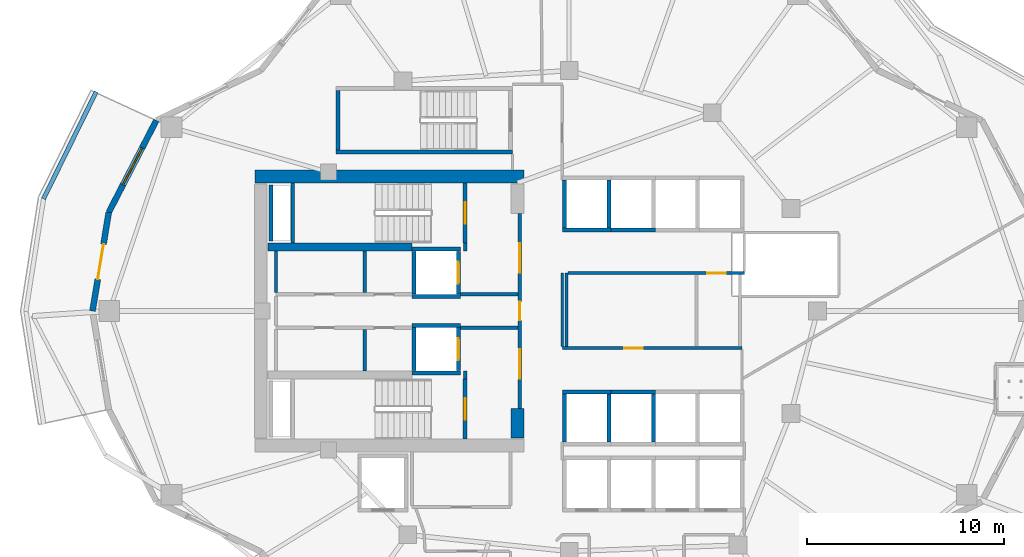
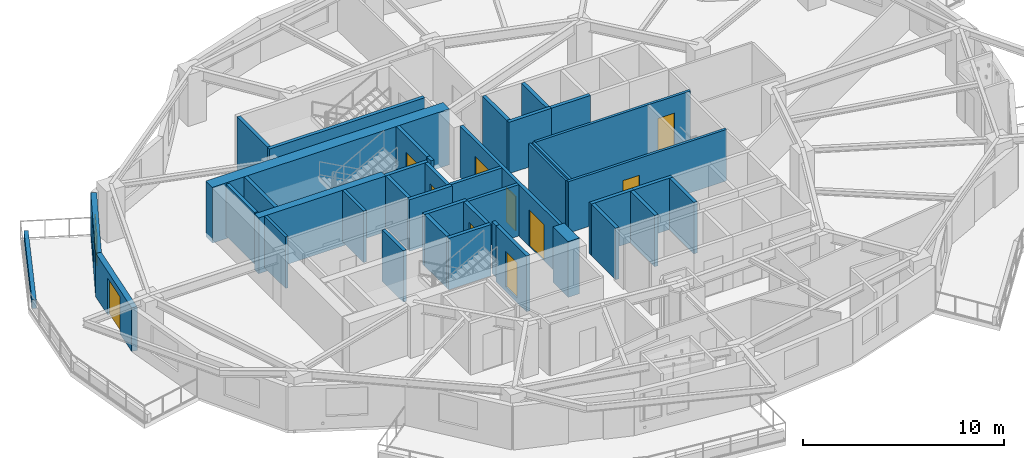
# One storey, part 4 of 14: 41 walls, 10 doors, 1 window, 11 openings.
"""IFC4 building model written with IfcOpenShell, lengths in metres."""

from ifc_helpers import new_model, si_unit, direction, frame, frame_2d, origin, place, context, subcontext, project, spatial, rectangle, extrude, material, layer, layer_set, type_object, element, fill, save


model = new_model("IFC4")

# Units and contexts
model_context = context("Model", 3, precision=1e-05, world=origin(), true_north=direction((0.0, 1.0)))
body_context = subcontext(model_context, "Body", "Model", "MODEL_VIEW")
ifc_project = project(units=[si_unit("LENGTHUNIT", "METRE"), si_unit("AREAUNIT", "SQUARE_METRE"), si_unit("VOLUMEUNIT", "CUBIC_METRE"), si_unit("PLANEANGLEUNIT", "RADIAN"), si_unit("MASSUNIT", "GRAM", prefix="KILO")], contexts=[model_context])

# Site, building, storey
site_placement = place(None, origin())
site = spatial("IfcSite", under=ifc_project, at=site_placement, CompositionType="ELEMENT")
building_placement = place(site_placement, origin())
building = spatial("IfcBuilding", under=site, at=building_placement, Name="Kolvaren Gate Tower and Convention Centre", CompositionType="ELEMENT")
storey_placement = place(building_placement, frame((0.0, 0.0, 105.300048828125)))
storey = spatial("IfcBuildingStorey", under=building, at=storey_placement, Name="L25", CompositionType="ELEMENT", Elevation=105.300048828125)

# Walls
ifc_material_1 = material(Name="Autoclaved Aerated Masonry Blockwork Class 4 (4.0 MPa)", Category="masonry")
ifc_layer_1 = layer(ifc_material_1, 0.179931640625)
ifc_layer_set_1 = layer_set([ifc_layer_1], Name="Autoclaved Aerated Masonry Blockwork Class 4 (4.0 MPa)")
wall_type_1 = type_object("IfcWallType", Name="ARCH-WL-COMP-180", PredefinedType="SOLIDWALL", material=ifc_layer_set_1)
for number, where, z_axis, x_axis, name in (
    (1, (24.85009765625, 23.5400390625, 0.0), (0.0, 0.0, 1.0), (0.0, 1.0, 0.0), "Interior Partition WL-L25-INT-001"),
    (2, (24.85009765625, 30.0400390625, 0.0), (0.0, 0.0, 1.0), (0.0, 1.0, 0.0), "Interior Partition WL-L25-INT-002"),
):
    element("IfcWall", number, at=place(storey_placement, frame(where, z_axis=z_axis, x_axis=x_axis)), inside=storey, type_object=wall_type_1, Name=name, PredefinedType="SOLIDWALL", context=body_context, shape_type="SweptSolid", body=[
        extrude(rectangle(XDim=0.419921875, YDim=0.179931640625, at=frame_2d((0.2099609375, 0.0))), origin(), (0.0, 0.0, 1.0), 3.1298828125),
    ])

# Wall, openings, doors
wall_1_placement = place(storey_placement, frame((27.6201171875, 22.050048828125, 0.0), z_axis=(0.0, 0.0, 1.0), x_axis=(0.0, 1.0, 0.0)))
wall_1 = element("IfcWall", 3, at=wall_1_placement, inside=storey, type_object=wall_type_1, Name="Interior Partition WL-L25-INT-003", PredefinedType="SOLIDWALL", context=body_context, shape_type="SweptSolid", body=[
    extrude(rectangle(XDim=9.89990234375, YDim=0.179931640625, at=frame_2d((4.949951171875, 0.0))), origin(), (0.0, 0.0, 1.0), 3.1298828125),
])
opening_1_placement = place(wall_1_placement, frame((4.47509765625, 0.0, 0.0)))
opening_1 = element("IfcOpeningElement", 4, at=opening_1_placement, cuts=wall_1, Name="Opening DR-01", PredefinedType="OPENING", context=body_context, shape_type="SweptSolid", body=[
    extrude(rectangle(XDim=0.949951171875, YDim=2.10009765625, at=frame_2d((0.47509765625, 1.050048828125))), frame((0.0, 0.099853515625, 0.0), z_axis=(0.0, -1.0, 0.0), x_axis=(1.0, 0.0, 0.0)), (0.0, 0.0, 1.0), 0.199951171875),
])
opening_2_placement = place(wall_1_placement, frame((6.889892578125, 0.0, 0.0)))
opening_2 = element("IfcOpeningElement", 5, at=opening_2_placement, cuts=wall_1, Name="Opening DL-01", PredefinedType="OPENING", context=body_context, shape_type="SweptSolid", body=[
    extrude(rectangle(XDim=1.5, YDim=2.199951171875, at=frame_2d((0.75, 1.10009765625))), frame((0.0, 0.099853515625, 0.0), z_axis=(0.0, -1.0, 0.0), x_axis=(1.0, 0.0, 0.0)), (0.0, 0.0, 1.0), 0.199951171875),
])
opening_3_placement = place(wall_1_placement, frame((1.510009765625, 0.0, 0.0)))
opening_3 = element("IfcOpeningElement", 6, at=opening_3_placement, cuts=wall_1, Name="Opening DL-01", PredefinedType="OPENING", context=body_context, shape_type="SweptSolid", body=[
    extrude(rectangle(XDim=1.5, YDim=2.199951171875, at=frame_2d((0.75, 1.10009765625))), frame((0.0, 0.099853515625, 0.0), z_axis=(0.0, -1.0, 0.0), x_axis=(1.0, 0.0, 0.0)), (0.0, 0.0, 1.0), 0.199951171875),
])
ifc_material_2 = material(Name="Painted Architectural Steelwork ASTM A500 Grade C 345 MPa", Category="steel")
door_type_1 = type_object("IfcDoorType", Name="ARCH-DR-LOBBY-1500", OperationType="DOUBLE_DOOR_SINGLE_SWING", PredefinedType="DOOR", material=ifc_material_2)
door_1_placement = place(opening_2_placement, origin())
door_1 = element("IfcDoor", 7, at=door_1_placement, inside=storey, type_object=door_type_1, Name="North Firefighting Stair and Lift Lobby Door", OperationType="DOUBLE_DOOR_SINGLE_SWING", OverallHeight=2.199951171875, OverallWidth=1.5, PredefinedType="DOOR", context=body_context, shape_type="SweptSolid", body=[
    extrude(rectangle(XDim=1.5, YDim=2.199951171875, at=frame_2d((0.75, 1.10009765625))), frame((0.0, 0.02490234375, 0.0), z_axis=(0.0, -1.0, 0.0), x_axis=(1.0, 0.0, 0.0)), (0.0, 0.0, 1.0), 0.050048828125),
])
fill(opening_2, door_1)
door_2_placement = place(opening_3_placement, origin())
door_2 = element("IfcDoor", 8, at=door_2_placement, inside=storey, type_object=door_type_1, Name="South Firefighting Stair and Lift Lobby Door", OperationType="DOUBLE_DOOR_SINGLE_SWING", OverallHeight=2.199951171875, OverallWidth=1.5, PredefinedType="DOOR", context=body_context, shape_type="SweptSolid", body=[
    extrude(rectangle(XDim=1.5, YDim=2.199951171875, at=frame_2d((0.75, 1.10009765625))), frame((0.0, 0.02490234375, 0.0), z_axis=(0.0, -1.0, 0.0), x_axis=(1.0, 0.0, 0.0)), (0.0, 0.0, 1.0), 0.050048828125),
])
fill(opening_3, door_2)
door_type_2 = type_object("IfcDoorType", Name="ARCH-DR-RISER-950", OperationType="SINGLE_SWING_RIGHT", PredefinedType="DOOR", material=ifc_material_2)
door_3_placement = place(opening_1_placement, origin())
door_3 = element("IfcDoor", 9, at=door_3_placement, inside=storey, type_object=door_type_2, Name="Central MEP Service Corridor Door", OperationType="SINGLE_SWING_RIGHT", OverallHeight=2.10009765625, OverallWidth=0.949951171875, PredefinedType="DOOR", context=body_context, shape_type="SweptSolid", body=[
    extrude(rectangle(XDim=0.949951171875, YDim=2.10009765625, at=frame_2d((0.47509765625, 1.050048828125))), frame((0.0, 0.02490234375, 0.0), z_axis=(0.0, -1.0, 0.0), x_axis=(1.0, 0.0, 0.0)), (0.0, 0.0, 1.0), 0.050048828125),
])
fill(opening_1, door_3)

# Walls
for number, where, z_axis, x_axis, name in (
    (10, (24.60009765625, 27.840087890625, 0.0), (0.0, 0.0, 1.0), (1.0, 0.0, 0.0), "Interior Partition WL-L25-INT-004 (2)"),
    (11, (24.60009765625, 26.159912109375, 0.0), (0.0, 0.0, 1.0), (1.0, 0.0, 0.0), "Interior Partition WL-L25-INT-005 (2)"),
):
    element("IfcWall", number, at=place(storey_placement, frame(where, z_axis=z_axis, x_axis=x_axis)), inside=storey, type_object=wall_type_1, Name=name, PredefinedType="SOLIDWALL", context=body_context, shape_type="SweptSolid", body=[
        extrude(rectangle(XDim=2.927978515625, YDim=0.179931640625, at=frame_2d((1.4638671875, 0.0))), origin(), (0.0, 0.0, 1.0), 3.1298828125),
    ])
for number, where, z_axis, x_axis, name in (
    (12, (19.75, 23.9619140625, 0.0), (0.0, 0.0, 1.0), (0.0, 1.0, 0.0), "Interior Partition WL-L25-INT-007"),
    (13, (19.75, 27.931884765625, 0.0), (0.0, 0.0, 1.0), (0.0, 1.0, 0.0), "Interior Partition WL-L25-INT-008"),
):
    element("IfcWall", number, at=place(storey_placement, frame(where, z_axis=z_axis, x_axis=x_axis)), inside=storey, type_object=wall_type_1, Name=name, PredefinedType="SOLIDWALL", context=body_context, shape_type="SweptSolid", body=[
        extrude(rectangle(XDim=2.106201171875, YDim=0.179931640625, at=frame_2d((1.05322265625, 0.0))), origin(), (0.0, 0.0, 1.0), 3.1298828125),
    ])
ifc_material_3 = material(Name="Fire-Rated Acoustic Gypsum Stud Partition", Category="gypsum")
ifc_layer_2 = layer(ifc_material_3, 0.1201171875)
ifc_layer_set_2 = layer_set([ifc_layer_2], Name="Fire-Rated Acoustic Gypsum Stud Partition")
wall_type_2 = type_object("IfcWallType", Name="ARCH-WL-PART-120", PredefinedType="PARTITIONING", material=ifc_layer_set_2)
wall_2_placement = place(storey_placement, frame((29.780029296875, 25.197021484375, 0.0), z_axis=(0.0, 0.0, 1.0), x_axis=(0.0, 1.0, 0.0)))
element("IfcWall", 14, at=wall_2_placement, inside=storey, type_object=wall_type_2, Name="Interior Partition WL-L25-INT-028", PredefinedType="PARTITIONING", context=body_context, shape_type="SweptSolid", body=[
    extrude(rectangle(XDim=3.722900390625, YDim=0.1201171875, at=frame_2d((1.861328125, 0.0))), origin(), (0.0, 0.0, 1.0), 3.1298828125),
])
ifc_material_4 = material(Name="Piedmont Cream Honed Limestone Cladding", Category="masonry")
ifc_layer_3 = layer(ifc_material_4, 0.219970703125)
ifc_layer_set_3 = layer_set([ifc_layer_3], Name="Piedmont Cream Honed Limestone Cladding")
wall_type_3 = type_object("IfcWallType", Name="ARCH-WL-PLANTER-220", PredefinedType="PARAPET", material=ifc_layer_set_3)
wall_3_placement = place(storey_placement, frame((3.44873046875, 32.68701171875, 0.0), z_axis=(0.0, 0.0, 1.0), x_axis=(0.441269631716, 0.897374566235, 0.0)))
element("IfcWall", 15, at=wall_3_placement, inside=storey, type_object=wall_type_3, Name="Vertical-Forest Balcony Stone Planter Kerb PK-L25-2.1", PredefinedType="PARAPET", context=body_context, shape_type="SweptSolid", body=[
    extrude(rectangle(XDim=6.05615234375, YDim=0.219970703125, at=frame_2d((3.028076171875, 0.0))), origin(), (0.0, 0.0, 1.0), 0.52001953125),
])
ifc_layer_4 = layer(ifc_material_1, 0.199951171875)
ifc_layer_set_4 = layer_set([ifc_layer_4], Name="Autoclaved Aerated Masonry Blockwork Class 4 (4.0 MPa)")
wall_type_4 = type_object("IfcWallType", Name="ARCH-WL-SHAFT-200", PredefinedType="SOLIDWALL", material=ifc_layer_set_4)
for number, where, z_axis, x_axis, name in (
    (16, (22.14990234375, 30.139892578125, 0.0), (0.0, 0.0, 1.0), (1.0, 0.0, 0.0), "Elevator FF-01 L25 Fire Shaft Wall N"),
    (17, (22.14990234375, 27.739990234375, 0.0), (0.0, 0.0, 1.0), (1.0, 0.0, 0.0), "Elevator FF-01 L25 Fire Shaft Wall S"),
):
    element("IfcWall", number, at=place(storey_placement, frame(where, z_axis=z_axis, x_axis=x_axis)), inside=storey, type_object=wall_type_4, Name=name, PredefinedType="SOLIDWALL", context=body_context, shape_type="SweptSolid", body=[
        extrude(rectangle(XDim=2.4501953125, YDim=0.199951171875, at=frame_2d((1.22509765625, 0.0))), origin(), (0.0, 0.0, 1.0), 3.1298828125),
    ])
wall_4_placement = place(storey_placement, frame((22.25, 27.85009765625, 0.0), z_axis=(0.0, 0.0, 1.0), x_axis=(0.0, 1.0, 0.0)))
element("IfcWall", 18, at=wall_4_placement, inside=storey, type_object=wall_type_4, Name="Elevator FF-01 L25 Fire Shaft Wall W", PredefinedType="SOLIDWALL", context=body_context, shape_type="SweptSolid", body=[
    extrude(rectangle(XDim=2.179931640625, YDim=0.199951171875, at=frame_2d((1.08984375, 0.0))), origin(), (0.0, 0.0, 1.0), 3.1298828125),
])

# Wall, opening, door
wall_5_placement = place(storey_placement, frame((24.5, 27.85009765625, 0.0), z_axis=(0.0, 0.0, 1.0), x_axis=(0.0, 1.0, 0.0)))
wall_5 = element("IfcWall", 19, at=wall_5_placement, inside=storey, type_object=wall_type_4, Name="Elevator FF-01 L25 Fire Shaft Wall E", PredefinedType="SOLIDWALL", context=body_context, shape_type="SweptSolid", body=[
    extrude(rectangle(XDim=2.179931640625, YDim=0.199951171875, at=frame_2d((1.08984375, 0.0))), origin(), (0.0, 0.0, 1.0), 3.1298828125),
])
opening_4_placement = place(wall_5_placement, frame((0.5400390625, 0.0, 0.0)))
opening_4 = element("IfcOpeningElement", 20, at=opening_4_placement, cuts=wall_5, Name="Opening LD", PredefinedType="OPENING", context=body_context, shape_type="SweptSolid", body=[
    extrude(rectangle(XDim=1.10009765625, YDim=2.199951171875, at=frame_2d((0.550048828125, 1.10009765625))), frame((0.0, 0.10986328125, 0.0), z_axis=(0.0, -1.0, 0.0), x_axis=(1.0, 0.0, 0.0)), (0.0, 0.0, 1.0), 0.219970703125),
])
ifc_material_5 = material(Name="Brushed Stainless Steel Grade 316L", Category="steel")
door_type_3 = type_object("IfcDoorType", Name="ARCH-DR-LIFT-1100", OperationType="SLIDING_TO_LEFT", PredefinedType="DOOR", material=ifc_material_5)
door_4_placement = place(opening_4_placement, origin())
door_4 = element("IfcDoor", 21, at=door_4_placement, inside=storey, type_object=door_type_3, Name="Elevator FF-01 L25 Sliding Landing Door", OperationType="SLIDING_TO_LEFT", OverallHeight=2.199951171875, OverallWidth=1.10009765625, PredefinedType="DOOR", context=body_context, shape_type="SweptSolid", body=[
    extrude(rectangle(XDim=1.10009765625, YDim=2.199951171875, at=frame_2d((0.550048828125, 1.10009765625))), frame((0.0, 0.02490234375, 0.0), z_axis=(0.0, -1.0, 0.0), x_axis=(1.0, 0.0, 0.0)), (0.0, 0.0, 1.0), 0.050048828125),
])
fill(opening_4, door_4)

# Walls
for number, where, z_axis, x_axis, name in (
    (22, (22.14990234375, 26.260009765625, 0.0), (0.0, 0.0, 1.0), (1.0, 0.0, 0.0), "Elevator FF-02 L25 Fire Shaft Wall N"),
    (23, (22.14990234375, 23.860107421875, 0.0), (0.0, 0.0, 1.0), (1.0, 0.0, 0.0), "Elevator FF-02 L25 Fire Shaft Wall S"),
):
    element("IfcWall", number, at=place(storey_placement, frame(where, z_axis=z_axis, x_axis=x_axis)), inside=storey, type_object=wall_type_4, Name=name, PredefinedType="SOLIDWALL", context=body_context, shape_type="SweptSolid", body=[
        extrude(rectangle(XDim=2.4501953125, YDim=0.199951171875, at=frame_2d((1.22509765625, 0.0))), origin(), (0.0, 0.0, 1.0), 3.1298828125),
    ])
wall_6_placement = place(storey_placement, frame((22.25, 23.969970703125, 0.0), z_axis=(0.0, 0.0, 1.0), x_axis=(0.0, 1.0, 0.0)))
element("IfcWall", 24, at=wall_6_placement, inside=storey, type_object=wall_type_4, Name="Elevator FF-02 L25 Fire Shaft Wall W", PredefinedType="SOLIDWALL", context=body_context, shape_type="SweptSolid", body=[
    extrude(rectangle(XDim=2.179931640625, YDim=0.199951171875, at=frame_2d((1.08984375, 0.0))), origin(), (0.0, 0.0, 1.0), 3.1298828125),
])

# Wall, opening, door
wall_7_placement = place(storey_placement, frame((24.5, 23.969970703125, 0.0), z_axis=(0.0, 0.0, 1.0), x_axis=(0.0, 1.0, 0.0)))
wall_7 = element("IfcWall", 25, at=wall_7_placement, inside=storey, type_object=wall_type_4, Name="Elevator FF-02 L25 Fire Shaft Wall E", PredefinedType="SOLIDWALL", context=body_context, shape_type="SweptSolid", body=[
    extrude(rectangle(XDim=2.179931640625, YDim=0.199951171875, at=frame_2d((1.08984375, 0.0))), origin(), (0.0, 0.0, 1.0), 3.1298828125),
])
opening_5_placement = place(wall_7_placement, frame((0.5400390625, 0.0, 0.0)))
opening_5 = element("IfcOpeningElement", 26, at=opening_5_placement, cuts=wall_7, Name="Opening LD", PredefinedType="OPENING", context=body_context, shape_type="SweptSolid", body=[
    extrude(rectangle(XDim=1.10009765625, YDim=2.199951171875, at=frame_2d((0.550048828125, 1.10009765625))), frame((0.0, 0.10986328125, 0.0), z_axis=(0.0, -1.0, 0.0), x_axis=(1.0, 0.0, 0.0)), (0.0, 0.0, 1.0), 0.219970703125),
])
door_5_placement = place(opening_5_placement, origin())
door_5 = element("IfcDoor", 27, at=door_5_placement, inside=storey, type_object=door_type_3, Name="Elevator FF-02 L25 Sliding Landing Door", OperationType="SLIDING_TO_LEFT", OverallHeight=2.199951171875, OverallWidth=1.10009765625, PredefinedType="DOOR", context=body_context, shape_type="SweptSolid", body=[
    extrude(rectangle(XDim=1.10009765625, YDim=2.199951171875, at=frame_2d((0.550048828125, 1.10009765625))), frame((0.0, 0.02490234375, 0.0), z_axis=(0.0, -1.0, 0.0), x_axis=(1.0, 0.0, 0.0)), (0.0, 0.0, 1.0), 0.050048828125),
])
fill(opening_5, door_5)

# Walls
wall_8_placement = place(storey_placement, frame((29.800048828125, 31.10009765625, 0.0), z_axis=(0.0, 0.0, 1.0), x_axis=(1.0, 0.0, 0.0)))
element("IfcWall", 28, at=wall_8_placement, inside=storey, type_object=wall_type_4, Name="Elevator PL-01 L25 Fire Shaft Wall S", PredefinedType="SOLIDWALL", context=body_context, shape_type="SweptSolid", body=[
    extrude(rectangle(XDim=2.449951171875, YDim=0.199951171875, at=frame_2d((1.22509765625, 0.0))), origin(), (0.0, 0.0, 1.0), 3.1298828125),
])
for number, where, z_axis, x_axis, name in (
    (29, (29.89990234375, 31.2099609375, 0.0), (0.0, 0.0, 1.0), (0.0, 1.0, 0.0), "Elevator PL-01 L25 Fire Shaft Wall W"),
    (30, (32.14990234375, 31.2099609375, 0.0), (0.0, 0.0, 1.0), (0.0, 1.0, 0.0), "Elevator PL-01 L25 Fire Shaft Wall E"),
):
    element("IfcWall", number, at=place(storey_placement, frame(where, z_axis=z_axis, x_axis=x_axis)), inside=storey, type_object=wall_type_4, Name=name, PredefinedType="SOLIDWALL", context=body_context, shape_type="SweptSolid", body=[
        extrude(rectangle(XDim=2.429931640625, YDim=0.199951171875, at=frame_2d((1.21484375, 0.0))), origin(), (0.0, 0.0, 1.0), 3.1298828125),
    ])
wall_9_placement = place(storey_placement, frame((32.25, 31.10009765625, 0.0), z_axis=(0.0, 0.0, 1.0), x_axis=(1.0, 0.0, 0.0)))
element("IfcWall", 31, at=wall_9_placement, inside=storey, type_object=wall_type_4, Name="Elevator PL-02 L25 Fire Shaft Wall S", PredefinedType="SOLIDWALL", context=body_context, shape_type="SweptSolid", body=[
    extrude(rectangle(XDim=2.25, YDim=0.199951171875, at=frame_2d((1.125, 0.0))), origin(), (0.0, 0.0, 1.0), 3.1298828125),
])
wall_10_placement = place(storey_placement, frame((29.800048828125, 22.89990234375, 0.0), z_axis=(0.0, 0.0, 1.0), x_axis=(1.0, 0.0, 0.0)))
element("IfcWall", 32, at=wall_10_placement, inside=storey, type_object=wall_type_4, Name="Elevator PL-09 L25 Fire Shaft Wall N", PredefinedType="SOLIDWALL", context=body_context, shape_type="SweptSolid", body=[
    extrude(rectangle(XDim=2.449951171875, YDim=0.199951171875, at=frame_2d((1.22509765625, 0.0))), origin(), (0.0, 0.0, 1.0), 3.1298828125),
])
for number, where, z_axis, x_axis, name in (
    (33, (29.89990234375, 20.360107421875, 0.0), (0.0, 0.0, 1.0), (0.0, 1.0, 0.0), "Elevator PL-09 L25 Fire Shaft Wall W"),
    (34, (32.14990234375, 20.360107421875, 0.0), (0.0, 0.0, 1.0), (0.0, 1.0, 0.0), "Elevator PL-09 L25 Fire Shaft Wall E"),
):
    element("IfcWall", number, at=place(storey_placement, frame(where, z_axis=z_axis, x_axis=x_axis)), inside=storey, type_object=wall_type_4, Name=name, PredefinedType="SOLIDWALL", context=body_context, shape_type="SweptSolid", body=[
        extrude(rectangle(XDim=2.429931640625, YDim=0.199951171875, at=frame_2d((1.21484375, 0.0))), origin(), (0.0, 0.0, 1.0), 3.1298828125),
    ])
wall_11_placement = place(storey_placement, frame((32.25, 22.89990234375, 0.0), z_axis=(0.0, 0.0, 1.0), x_axis=(1.0, 0.0, 0.0)))
element("IfcWall", 35, at=wall_11_placement, inside=storey, type_object=wall_type_4, Name="Elevator PL-10 L25 Fire Shaft Wall N", PredefinedType="SOLIDWALL", context=body_context, shape_type="SweptSolid", body=[
    extrude(rectangle(XDim=2.25, YDim=0.199951171875, at=frame_2d((1.125, 0.0))), origin(), (0.0, 0.0, 1.0), 3.1298828125),
])
wall_12_placement = place(storey_placement, frame((34.39990234375, 20.360107421875, 0.0), z_axis=(0.0, 0.0, 1.0), x_axis=(0.0, 1.0, 0.0)))
element("IfcWall", 36, at=wall_12_placement, inside=storey, type_object=wall_type_4, Name="Elevator PL-10 L25 Fire Shaft Wall E", PredefinedType="SOLIDWALL", context=body_context, shape_type="SweptSolid", body=[
    extrude(rectangle(XDim=2.429931640625, YDim=0.199951171875, at=frame_2d((1.21484375, 0.0))), origin(), (0.0, 0.0, 1.0), 3.1298828125),
])
wall_13_placement = place(storey_placement, frame((14.989990234375, 30.550048828125, 0.0), z_axis=(0.0, 0.0, 1.0), x_axis=(0.0, 1.0, 0.0)))
element("IfcWall", 37, at=wall_13_placement, inside=storey, type_object=wall_type_4, Name="Vertical Shaft HVR L25 EI-120 Enclosure Wall W", PredefinedType="SOLIDWALL", context=body_context, shape_type="SweptSolid", body=[
    extrude(rectangle(XDim=2.849853515625, YDim=0.199951171875, at=frame_2d((1.4248046875, 0.0))), origin(), (0.0, 0.0, 1.0), 3.1298828125),
])

# Wall, opening, window
ifc_layer_5 = layer(ifc_material_4, 0.300048828125)
ifc_layer_set_5 = layer_set([ifc_layer_5], Name="Piedmont Cream Honed Limestone Cladding")
wall_type_5 = type_object("IfcWallType", Name="ARCH-WL-STONE-300", PredefinedType="SOLIDWALL", material=ifc_layer_set_5)
wall_14_placement = place(storey_placement, frame((6.76171875, 32.008056640625, 0.0), z_axis=(0.0, 0.0, 1.0), x_axis=(0.459767899643, 0.888039119892, 0.0)))
wall_14 = element("IfcWall", 38, at=wall_14_placement, inside=storey, type_object=wall_type_5, Name="Tower L25 Honed Stone Spandrel Wall EW-10", PredefinedType="SOLIDWALL", context=body_context, shape_type="SweptSolid", body=[
    extrude(rectangle(XDim=5.25537109375, YDim=0.300048828125, at=frame_2d((2.627685546875, 0.0))), origin(), (0.0, 0.0, 1.0), 2.65283203125),
])
opening_6_placement = place(wall_14_placement, frame((1.577880859375, 0.0, 0.739990234375)))
opening_6 = element("IfcOpeningElement", 39, at=opening_6_placement, cuts=wall_14, Name="Opening W-02", PredefinedType="OPENING", context=body_context, shape_type="SweptSolid", body=[
    extrude(rectangle(XDim=2.10009765625, YDim=1.699951171875, at=frame_2d((1.050048828125, 0.85009765625))), frame((0.0, 0.159912109375, 0.0), z_axis=(0.0, -1.0, 0.0), x_axis=(1.0, 0.0, 0.0)), (0.0, 0.0, 1.0), 0.320068359375),
])
ifc_material_6 = material(Name="Low-E Triple Insulated Glazing Unit 44 mm", Category="glass")
window_type = type_object("IfcWindowType", Name="ARCH-WN-HTL-2100", PartitioningType="SINGLE_PANEL", PredefinedType="WINDOW", material=ifc_material_6)
window_placement = place(opening_6_placement, origin())
window = element("IfcWindow", 40, at=window_placement, inside=storey, type_object=window_type, Name="Tower L25 Punched Stone Facade Window W-10", OverallHeight=1.699951171875, OverallWidth=2.10009765625, PartitioningType="SINGLE_PANEL", PredefinedType="WINDOW", context=body_context, shape_type="SweptSolid", body=[
    extrude(rectangle(XDim=2.10009765625, YDim=1.699951171875, at=frame_2d((1.050048828125, 0.85009765625))), frame((0.0, 0.030029296875, 0.0), z_axis=(0.0, -1.0, 0.0), x_axis=(1.0, 0.0, 0.0)), (0.0, 0.0, 1.0), 0.06005859375),
])
fill(opening_6, window)

# Wall, opening, door
wall_15_placement = place(storey_placement, frame((5.9375, 27.0, 0.0), z_axis=(0.0, 0.0, 1.0), x_axis=(0.162393944769, 0.986726003864, 0.0)))
wall_15 = element("IfcWall", 41, at=wall_15_placement, inside=storey, type_object=wall_type_5, Name="Tower L25 Honed Stone Spandrel Wall EW-11", PredefinedType="SOLIDWALL", context=body_context, shape_type="SweptSolid", body=[
    extrude(rectangle(XDim=5.075439453125, YDim=0.300048828125, at=frame_2d((2.53759765625, 0.0))), origin(), (0.0, 0.0, 1.0), 2.65283203125),
])
opening_7_placement = place(wall_15_placement, frame((1.637939453125, 0.0, 0.0)))
opening_7 = element("IfcOpeningElement", 42, at=opening_7_placement, cuts=wall_15, Name="Opening DB-01", PredefinedType="OPENING", context=body_context, shape_type="SweptSolid", body=[
    extrude(rectangle(XDim=1.800048828125, YDim=2.25, at=frame_2d((0.89990234375, 1.125))), frame((0.0, 0.159912109375, 0.0), z_axis=(0.0, -1.0, 0.0), x_axis=(1.0, 0.0, 0.0)), (0.0, 0.0, 1.0), 0.320068359375),
])
ifc_material_7 = material(Name="Anodized Architectural Aluminium Alloy 6063-T6", Category="aluminium")
door_type_4 = type_object("IfcDoorType", Name="ARCH-DR-BALC-1800", OperationType="SLIDING_TO_LEFT", PredefinedType="DOOR", material=ifc_material_7)
door_6_placement = place(opening_7_placement, origin())
door_6 = element("IfcDoor", 43, at=door_6_placement, inside=storey, type_object=door_type_4, Name="Planted Sky Terrace Access Door DB-L25-11", OperationType="SLIDING_TO_LEFT", OverallHeight=2.25, OverallWidth=1.800048828125, PredefinedType="DOOR", context=body_context, shape_type="SweptSolid", body=[
    extrude(rectangle(XDim=1.800048828125, YDim=2.25, at=frame_2d((0.89990234375, 1.125))), frame((0.0, 0.02490234375, 0.0), z_axis=(0.0, -1.0, 0.0), x_axis=(1.0, 0.0, 0.0)), (0.0, 0.0, 1.0), 0.050048828125),
])
fill(opening_7, door_6)

# Wall
ifc_material_8 = material(Name="Moisture-Resistant Cement-Board Acoustic Partition", Category="gypsum")
ifc_layer_6 = layer(ifc_material_8, 0.14990234375)
ifc_layer_set_6 = layer_set([ifc_layer_6], Name="Moisture-Resistant Cement-Board Acoustic Partition")
wall_type_6 = type_object("IfcWallType", Name="ARCH-WL-WET-150", PredefinedType="PARTITIONING", material=ifc_layer_set_6)
wall_16_placement = place(storey_placement, frame((15.25, 27.931884765625, 0.0), z_axis=(0.0, 0.0, 1.0), x_axis=(0.0, 1.0, 0.0)))
element("IfcWall", 44, at=wall_16_placement, inside=storey, type_object=wall_type_6, Name="Interior Partition WL-L25-INT-006 (3)", PredefinedType="PARTITIONING", context=body_context, shape_type="SweptSolid", body=[
    extrude(rectangle(XDim=2.106201171875, YDim=0.14990234375, at=frame_2d((1.05322265625, 0.0))), origin(), (0.0, 0.0, 1.0), 3.1298828125),
])

# Wall, opening, door
wall_17_placement = place(storey_placement, frame((29.780029296875, 25.1201171875, 0.0), z_axis=(0.0, 0.0, 1.0), x_axis=(1.0, 0.0, 0.0)))
wall_17 = element("IfcWall", 45, at=wall_17_placement, inside=storey, type_object=wall_type_6, Name="Interior Partition WL-L25-INT-013", PredefinedType="PARTITIONING", context=body_context, shape_type="SweptSolid", body=[
    extrude(rectangle(XDim=9.119873046875, YDim=0.14990234375, at=frame_2d((4.56005859375, 0.0))), origin(), (0.0, 0.0, 1.0), 3.1298828125),
])
opening_8_placement = place(wall_17_placement, frame((3.139892578125, 0.0, 0.0)))
opening_8 = element("IfcOpeningElement", 46, at=opening_8_placement, cuts=wall_17, Name="Opening DR-01", PredefinedType="OPENING", context=body_context, shape_type="SweptSolid", body=[
    extrude(rectangle(XDim=0.949951171875, YDim=2.10009765625, at=frame_2d((0.47509765625, 1.050048828125))), frame((0.0, 0.0849609375, 0.0), z_axis=(0.0, -1.0, 0.0), x_axis=(1.0, 0.0, 0.0)), (0.0, 0.0, 1.0), 0.169921875),
])
door_7_placement = place(opening_8_placement, origin())
door_7 = element("IfcDoor", 47, at=door_7_placement, inside=storey, type_object=door_type_2, Name="Accessible Universal Washroom Door", OperationType="SINGLE_SWING_RIGHT", OverallHeight=2.10009765625, OverallWidth=0.949951171875, PredefinedType="DOOR", context=body_context, shape_type="SweptSolid", body=[
    extrude(rectangle(XDim=0.949951171875, YDim=2.10009765625, at=frame_2d((0.47509765625, 1.050048828125))), frame((0.0, 0.02490234375, 0.0), z_axis=(0.0, -1.0, 0.0), x_axis=(1.0, 0.0, 0.0)), (0.0, 0.0, 1.0), 0.050048828125),
])
fill(opening_8, door_7)

# Wall
wall_18_placement = place(storey_placement, frame((30.0, 25.197021484375, 0.0), z_axis=(0.0, 0.0, 1.0), x_axis=(0.0, 1.0, 0.0)))
element("IfcWall", 48, at=wall_18_placement, inside=storey, type_object=wall_type_6, Name="Interior Partition WL-L25-INT-014", PredefinedType="PARTITIONING", context=body_context, shape_type="SweptSolid", body=[
    extrude(rectangle(XDim=3.722900390625, YDim=0.14990234375, at=frame_2d((1.861328125, 0.0))), origin(), (0.0, 0.0, 1.0), 3.1298828125),
])

# Wall, opening, door
wall_19_placement = place(storey_placement, frame((30.076904296875, 28.919921875, 0.0), z_axis=(0.0, 0.0, 1.0), x_axis=(1.0, 0.0, 0.0)))
wall_19 = element("IfcWall", 49, at=wall_19_placement, inside=storey, type_object=wall_type_6, Name="Interior Partition WL-L25-INT-015", PredefinedType="PARTITIONING", context=body_context, shape_type="SweptSolid", body=[
    extrude(rectangle(XDim=8.943115234375, YDim=0.14990234375, at=frame_2d((4.4716796875, 0.0))), origin(), (0.0, 0.0, 1.0), 3.1298828125),
])
opening_9_placement = place(wall_19_placement, frame((7.052978515625, 0.0, 0.0)))
opening_9 = element("IfcOpeningElement", 50, at=opening_9_placement, cuts=wall_19, Name="Opening DR-01", PredefinedType="OPENING", context=body_context, shape_type="SweptSolid", body=[
    extrude(rectangle(XDim=0.949951171875, YDim=2.10009765625, at=frame_2d((0.47509765625, 1.050048828125))), frame((0.0, 0.0849609375, 0.0), z_axis=(0.0, -1.0, 0.0), x_axis=(1.0, 0.0, 0.0)), (0.0, 0.0, 1.0), 0.169921875),
])
door_8_placement = place(opening_9_placement, origin())
door_8 = element("IfcDoor", 51, at=door_8_placement, inside=storey, type_object=door_type_2, Name="Hotel Housekeeping and Linen Store Door", OperationType="SINGLE_SWING_LEFT", OverallHeight=2.10009765625, OverallWidth=0.949951171875, PredefinedType="DOOR", context=body_context, shape_type="SweptSolid", body=[
    extrude(rectangle(XDim=0.949951171875, YDim=2.10009765625, at=frame_2d((0.47509765625, 1.050048828125))), frame((0.0, 0.02490234375, 0.0), z_axis=(0.0, -1.0, 0.0), x_axis=(1.0, 0.0, 0.0)), (0.0, 0.0, 1.0), 0.050048828125),
])
fill(opening_9, door_8)

# Walls
ifc_material_9 = material(Name="Concrete C50/60", Category="concrete")
ifc_layer_7 = layer(ifc_material_9, 0.419921875)
ifc_layer_set_7 = layer_set([ifc_layer_7], Name="Concrete C50/60")
wall_type_7 = type_object("IfcWallType", Name="STR-WL-CONV-420", PredefinedType="SHEAR", material=ifc_layer_set_7)
wall_20_placement = place(storey_placement, frame((14.85009765625, 30.25, -0.27001953125), z_axis=(0.0, 0.0, 1.0), x_axis=(1.0, 0.0, 0.0)))
element("IfcWall", 52, at=wall_20_placement, inside=storey, type_object=wall_type_7, Name="Tower L25 Offset Core Shear Wall WN", PredefinedType="SHEAR", context=body_context, shape_type="SweptSolid", body=[
    extrude(rectangle(XDim=7.2998046875, YDim=0.419921875, at=frame_2d((3.64990234375, 0.0))), origin(), (0.0, 0.0, 1.0), 3.39990234375),
])
ifc_material_10 = material(Name="Concrete C60/75", Category="concrete")
ifc_layer_8 = layer(ifc_material_10, 0.64990234375)
ifc_layer_set_8 = layer_set([ifc_layer_8], Name="Concrete C60/75")
wall_type_8 = type_object("IfcWallType", Name="STR-WL-CORE-650", PredefinedType="SHEAR", material=ifc_layer_set_8)
wall_21_placement = place(storey_placement, frame((14.175048828125, 33.824951171875, -0.27001953125), z_axis=(0.0, 0.0, 1.0), x_axis=(1.0, 0.0, 0.0)))
element("IfcWall", 53, at=wall_21_placement, inside=storey, type_object=wall_type_8, Name="Tower L25 Offset Core Shear Wall N", PredefinedType="SHEAR", context=body_context, shape_type="SweptSolid", body=[
    extrude(rectangle(XDim=13.64990234375, YDim=0.64990234375, at=frame_2d((6.824951171875, 0.0))), origin(), (0.0, 0.0, 1.0), 3.39990234375),
])
wall_22_placement = place(storey_placement, frame((27.5, 20.550048828125, -0.27001953125), z_axis=(0.0, 0.0, 1.0), x_axis=(0.0, 1.0, 0.0)))
element("IfcWall", 54, at=wall_22_placement, inside=storey, type_object=wall_type_8, Name="Tower L25 Offset Core Shear Wall ES", PredefinedType="SHEAR", context=body_context, shape_type="SweptSolid", body=[
    extrude(rectangle(XDim=1.5, YDim=0.64990234375, at=frame_2d((0.75, 0.0))), origin(), (0.0, 0.0, 1.0), 3.39990234375),
])

# Wall, opening, door
ifc_layer_9 = layer(ifc_material_9, 0.199951171875)
ifc_layer_set_9 = layer_set([ifc_layer_9], Name="Concrete C50/60")
wall_type_9 = type_object("IfcWallType", Name="STR-WL-SHAFT-200", PredefinedType="SHEAR", material=ifc_layer_set_9)
wall_23_placement = place(storey_placement, frame((24.85009765625, 30.4599609375, -0.27001953125), z_axis=(0.0, 0.0, 1.0), x_axis=(0.0, 1.0, 0.0)))
wall_23 = element("IfcWall", 55, at=wall_23_placement, inside=storey, type_object=wall_type_9, Name="Tower North Exit Stair ST-T1 L25 Structural Shear Enclosure Wall NEAR", PredefinedType="SHEAR", context=body_context, shape_type="SweptSolid", body=[
    extrude(rectangle(XDim=3.0380859375, YDim=0.199951171875, at=frame_2d((1.51904296875, 0.0))), origin(), (0.0, 0.0, 1.0), 3.39990234375),
])
opening_10_placement = place(wall_23_placement, frame((0.968994140625, 0.0, 0.27001953125)))
opening_10 = element("IfcOpeningElement", 56, at=opening_10_placement, cuts=wall_23, Name="Opening DS-01", PredefinedType="OPENING", context=body_context, shape_type="SweptSolid", body=[
    extrude(rectangle(XDim=1.10009765625, YDim=2.14990234375, at=frame_2d((0.550048828125, 1.074951171875))), frame((0.0, 0.10986328125, 0.0), z_axis=(0.0, -1.0, 0.0), x_axis=(1.0, 0.0, 0.0)), (0.0, 0.0, 1.0), 0.219970703125),
])
door_type_5 = type_object("IfcDoorType", Name="ARCH-DR-STAIR-1100", OperationType="SINGLE_SWING_LEFT", PredefinedType="DOOR", material=ifc_material_2)
door_9_placement = place(opening_10_placement, origin())
door_9 = element("IfcDoor", 57, at=door_9_placement, inside=storey, type_object=door_type_5, Name="Tower North Exit Stair ST-T1 L25 Fire Exit Stair Door", OperationType="SINGLE_SWING_LEFT", OverallHeight=2.14990234375, OverallWidth=1.10009765625, PredefinedType="DOOR", context=body_context, shape_type="SweptSolid", body=[
    extrude(rectangle(XDim=1.10009765625, YDim=2.14990234375, at=frame_2d((0.550048828125, 1.074951171875))), frame((0.0, 0.02490234375, 0.0), z_axis=(0.0, -1.0, 0.0), x_axis=(1.0, 0.0, 0.0)), (0.0, 0.0, 1.0), 0.050048828125),
])
fill(opening_10, door_9)

# Wall
wall_24_placement = place(storey_placement, frame((16.10009765625, 30.4619140625, -0.27001953125), z_axis=(0.0, 0.0, 1.0), x_axis=(0.0, 1.0, 0.0)))
element("IfcWall", 58, at=wall_24_placement, inside=storey, type_object=wall_type_9, Name="Tower North Exit Stair ST-T1 L25 Structural Shear Enclosure Wall FAR", PredefinedType="SHEAR", context=body_context, shape_type="SweptSolid", body=[
    extrude(rectangle(XDim=3.0361328125, YDim=0.199951171875, at=frame_2d((1.51806640625, 0.0))), origin(), (0.0, 0.0, 1.0), 3.39990234375),
])

# Wall, opening, door
wall_25_placement = place(storey_placement, frame((24.85009765625, 20.501953125, -0.27001953125), z_axis=(0.0, 0.0, 1.0), x_axis=(0.0, 1.0, 0.0)))
wall_25 = element("IfcWall", 59, at=wall_25_placement, inside=storey, type_object=wall_type_9, Name="Tower South Exit Stair ST-T2 L25 Structural Shear Enclosure Wall NEAR", PredefinedType="SHEAR", context=body_context, shape_type="SweptSolid", body=[
    extrude(rectangle(XDim=3.0380859375, YDim=0.199951171875, at=frame_2d((1.51904296875, 0.0))), origin(), (0.0, 0.0, 1.0), 3.39990234375),
])
opening_11_placement = place(wall_25_placement, frame((0.968994140625, 0.0, 0.27001953125)))
opening_11 = element("IfcOpeningElement", 60, at=opening_11_placement, cuts=wall_25, Name="Opening DS-01", PredefinedType="OPENING", context=body_context, shape_type="SweptSolid", body=[
    extrude(rectangle(XDim=1.10009765625, YDim=2.14990234375, at=frame_2d((0.550048828125, 1.074951171875))), frame((0.0, 0.10986328125, 0.0), z_axis=(0.0, -1.0, 0.0), x_axis=(1.0, 0.0, 0.0)), (0.0, 0.0, 1.0), 0.219970703125),
])
door_10_placement = place(opening_11_placement, origin())
door_10 = element("IfcDoor", 61, at=door_10_placement, inside=storey, type_object=door_type_5, Name="Tower South Exit Stair ST-T2 L25 Fire Exit Stair Door", OperationType="SINGLE_SWING_LEFT", OverallHeight=2.14990234375, OverallWidth=1.10009765625, PredefinedType="DOOR", context=body_context, shape_type="SweptSolid", body=[
    extrude(rectangle(XDim=1.10009765625, YDim=2.14990234375, at=frame_2d((0.550048828125, 1.074951171875))), frame((0.0, 0.02490234375, 0.0), z_axis=(0.0, -1.0, 0.0), x_axis=(1.0, 0.0, 0.0)), (0.0, 0.0, 1.0), 0.050048828125),
])
fill(opening_11, door_10)

# Walls
wall_26_placement = place(storey_placement, frame((18.39990234375, 35.159912109375, -0.27001953125), z_axis=(0.0, 0.0, 1.0), x_axis=(0.0, 1.0, 0.0)))
element("IfcWall", 62, at=wall_26_placement, inside=storey, type_object=wall_type_9, Name="Tower Mid-Zone Exit Stair ST-T3 L25 Structural Shear Enclosure Wall FAR", PredefinedType="SHEAR", context=body_context, shape_type="SweptSolid", body=[
    extrude(rectangle(XDim=3.0400390625, YDim=0.199951171875, at=frame_2d((1.52001953125, 0.0))), origin(), (0.0, 0.0, 1.0), 3.39990234375),
])
wall_27_placement = place(storey_placement, frame((18.300048828125, 35.06005859375, -0.27001953125), z_axis=(0.0, 0.0, 1.0), x_axis=(1.0, 0.0, 0.0)))
element("IfcWall", 63, at=wall_27_placement, inside=storey, type_object=wall_type_9, Name="Tower Mid-Zone Exit Stair ST-T3 L25 Structural Shear Enclosure Wall RGHT", PredefinedType="SHEAR", context=body_context, shape_type="SweptSolid", body=[
    extrude(rectangle(XDim=8.949951171875, YDim=0.199951171875, at=frame_2d((4.47509765625, 0.0))), origin(), (0.0, 0.0, 1.0), 3.39990234375),
])

save(model, "model.ifc")
